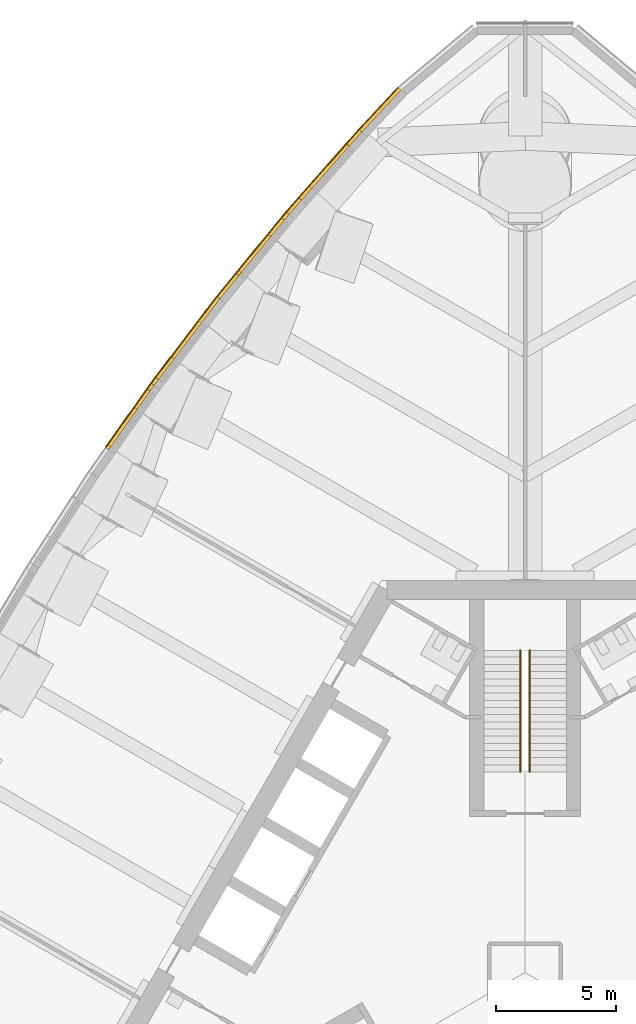
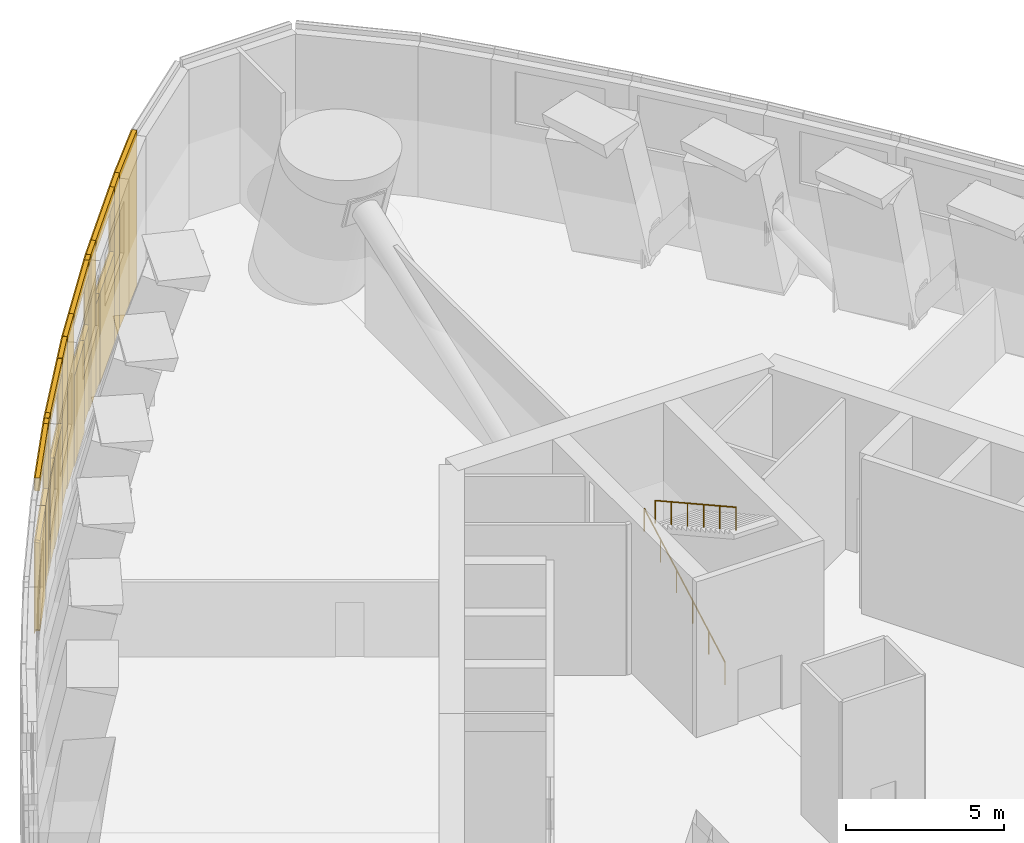
# One storey, part 18 of 25: 38 coverings, 2 railings.
"""IFC4 building model written with IfcOpenShell, lengths in metres."""

from ifc_helpers import new_model, si_unit, direction, frame, origin, origin_2d, place, context, subcontext, project, spatial, rectangle, circle, extrude, material, layer, layer_set, type_object, element, save


model = new_model("IFC4")

# Units and contexts
model_context = context("Model", 3, precision=1e-05, world=origin(), true_north=direction((0.0, 1.0)))
body_context = subcontext(model_context, "Body", "Model", "MODEL_VIEW")
ifc_project = project(units=[si_unit("LENGTHUNIT", "METRE"), si_unit("AREAUNIT", "SQUARE_METRE"), si_unit("VOLUMEUNIT", "CUBIC_METRE"), si_unit("PLANEANGLEUNIT", "RADIAN"), si_unit("MASSUNIT", "GRAM", prefix="KILO")], contexts=[model_context])

# Site, building, storey
site_placement = place(None, origin())
site = spatial("IfcSite", under=ifc_project, at=site_placement, CompositionType="ELEMENT")
building_placement = place(site_placement, origin())
building = spatial("IfcBuilding", under=site, at=building_placement, Name="Trefoil Bronze Tower", CompositionType="ELEMENT")
storey_placement = place(building_placement, frame((0.0, 0.0, 178.699951171875)))
storey = spatial("IfcBuildingStorey", under=building, at=storey_placement, Name="L41", CompositionType="ELEMENT", Elevation=178.699951171875)

# Coverings
ifc_material_1 = material(Name="Bronze-finish aluminium rainscreen panel on aluminium rails", Category="aluminium")
ifc_layer_1 = layer(ifc_material_1, 0.0400390625)
ifc_layer_set_1 = layer_set([ifc_layer_1], Name="Bronze cladding panel 40")
covering_type_1 = type_object("IfcCoveringType", Name="Bronze cladding panel 40", PredefinedType="CLADDING", material=ifc_layer_set_1)
covering_1_placement = place(storey_placement, frame((-6.1259765625, 36.158447265625, 0.0), z_axis=(0.0, 0.0, 1.0), x_axis=(-0.682535770593, -0.730852188791, 0.0)))
element("IfcCovering", 1, at=covering_1_placement, inside=storey, type_object=covering_type_1, Name="Cladding panel L41 Face 3.1 piece 1", PredefinedType="CLADDING", context=body_context, shape_type="SweptSolid", body=[
    extrude(rectangle(XDim=2.420166015625, YDim=0.0400390625, at=origin_2d()), origin(), (0.0, 0.0, 1.0), 6.0),
])
for number, where, z_axis, x_axis, name in (
    (2, (-7.22119140625, 34.96923828125, 0.0), (0.0, 0.0, 1.0), (-0.661751406057, -0.749723333358, 0.0), "Cladding panel L41 Face 3.2 piece 1"),
    (3, (-9.73291015625, 32.12353515625, 0.0), (0.0, 0.0, 1.0), (-0.661751406057, -0.749723333358, 0.0), "Cladding panel L41 Face 3.2 piece 2"),
):
    element("IfcCovering", number, at=place(storey_placement, frame(where, z_axis=z_axis, x_axis=x_axis)), inside=storey, type_object=covering_type_1, Name=name, PredefinedType="CLADDING", context=body_context, shape_type="SweptSolid", body=[
        extrude(rectangle(XDim=0.795654296875, YDim=0.0400390625, at=origin_2d()), origin(), (0.0, 0.0, 1.0), 6.0),
    ])
covering_2_placement = place(storey_placement, frame((-8.47705078125, 33.54638671875, 0.0), z_axis=(0.0, 0.0, 1.0), x_axis=(-0.661751406057, -0.749723333358, 0.0)))
element("IfcCovering", 4, at=covering_2_placement, inside=storey, type_object=covering_type_1, Name="Cladding panel L41 Face 3.2 piece 3", PredefinedType="CLADDING", context=body_context, shape_type="SweptSolid", body=[
    extrude(rectangle(XDim=3.0, YDim=0.0400390625, at=origin_2d()), origin(), (0.0, 0.0, 1.0), 3.5),
])
covering_3_placement = place(storey_placement, frame((-8.47705078125, 33.54638671875, 5.5), z_axis=(0.0, 0.0, 1.0), x_axis=(-0.661751406057, -0.749723333358, 0.0)))
element("IfcCovering", 5, at=covering_3_placement, inside=storey, type_object=covering_type_1, Name="Cladding panel L41 Face 3.2 piece 4", PredefinedType="CLADDING", context=body_context, shape_type="SweptSolid", body=[
    extrude(rectangle(XDim=3.0, YDim=0.0400390625, at=origin_2d()), origin(), (0.0, 0.0, 1.0), 0.5),
])
covering_4_placement = place(storey_placement, frame((-10.098876953125, 31.700439453125, 0.0), z_axis=(0.0, 0.0, 1.0), x_axis=(-0.63383991597, -0.773464259629, 0.0)))
element("IfcCovering", 6, at=covering_4_placement, inside=storey, type_object=covering_type_1, Name="Cladding panel L41 Face 3.3 piece 1", PredefinedType="CLADDING", context=body_context, shape_type="SweptSolid", body=[
    extrude(rectangle(XDim=0.300048828125, YDim=0.0400390625, at=origin_2d()), origin(), (0.0, 0.0, 1.0), 6.0),
])
covering_5_placement = place(storey_placement, frame((-12.494873046875, 28.776611328125, 0.0), z_axis=(0.0, 0.0, 1.0), x_axis=(-0.63383991597, -0.773464259629, 0.0)))
element("IfcCovering", 7, at=covering_5_placement, inside=storey, type_object=covering_type_1, Name="Cladding panel L41 Face 3.3 piece 2", PredefinedType="CLADDING", context=body_context, shape_type="SweptSolid", body=[
    extrude(rectangle(XDim=1.260498046875, YDim=0.0400390625, at=origin_2d()), origin(), (0.0, 0.0, 1.0), 6.0),
])
covering_6_placement = place(storey_placement, frame((-11.144775390625, 30.424072265625, 0.0), z_axis=(0.0, 0.0, 1.0), x_axis=(-0.63383991597, -0.773464259629, 0.0)))
element("IfcCovering", 8, at=covering_6_placement, inside=storey, type_object=covering_type_1, Name="Cladding panel L41 Face 3.3 piece 3", PredefinedType="CLADDING", context=body_context, shape_type="SweptSolid", body=[
    extrude(rectangle(XDim=3.0, YDim=0.0400390625, at=origin_2d()), origin(), (0.0, 0.0, 1.0), 3.5),
])
covering_7_placement = place(storey_placement, frame((-11.144775390625, 30.424072265625, 5.5), z_axis=(0.0, 0.0, 1.0), x_axis=(-0.63383991597, -0.773464259629, 0.0)))
element("IfcCovering", 9, at=covering_7_placement, inside=storey, type_object=covering_type_1, Name="Cladding panel L41 Face 3.3 piece 4", PredefinedType="CLADDING", context=body_context, shape_type="SweptSolid", body=[
    extrude(rectangle(XDim=3.0, YDim=0.0400390625, at=origin_2d()), origin(), (0.0, 0.0, 1.0), 0.5),
])
covering_8_placement = place(storey_placement, frame((-13.275634765625, 27.787841796875, 0.0), z_axis=(0.0, 0.0, 1.0), x_axis=(-0.605252319997, -0.796033685932, 0.0)))
element("IfcCovering", 10, at=covering_8_placement, inside=storey, type_object=covering_type_1, Name="Cladding panel L41 Face 3.4 piece 1", PredefinedType="CLADDING", context=body_context, shape_type="SweptSolid", body=[
    extrude(rectangle(XDim=1.236328125, YDim=0.0400390625, at=origin_2d()), origin(), (0.0, 0.0, 1.0), 6.0),
])
covering_9_placement = place(storey_placement, frame((-15.556396484375, 24.788330078125, 0.0), z_axis=(0.0, 0.0, 1.0), x_axis=(-0.605252319997, -0.796033685932, 0.0)))
element("IfcCovering", 11, at=covering_9_placement, inside=storey, type_object=covering_type_1, Name="Cladding panel L41 Face 3.4 piece 2", PredefinedType="CLADDING", context=body_context, shape_type="SweptSolid", body=[
    extrude(rectangle(XDim=0.300048828125, YDim=0.0400390625, at=origin_2d()), origin(), (0.0, 0.0, 1.0), 6.0),
])
covering_10_placement = place(storey_placement, frame((-14.5576171875, 26.101806640625, 0.0), z_axis=(0.0, 0.0, 1.0), x_axis=(-0.605252319997, -0.796033685932, 0.0)))
element("IfcCovering", 12, at=covering_10_placement, inside=storey, type_object=covering_type_1, Name="Cladding panel L41 Face 3.4 piece 3", PredefinedType="CLADDING", context=body_context, shape_type="SweptSolid", body=[
    extrude(rectangle(XDim=3.0, YDim=0.0400390625, at=origin_2d()), origin(), (0.0, 0.0, 1.0), 3.5),
])
covering_11_placement = place(storey_placement, frame((-14.5576171875, 26.101806640625, 5.5), z_axis=(0.0, 0.0, 1.0), x_axis=(-0.605252319997, -0.796033685932, 0.0)))
element("IfcCovering", 13, at=covering_11_placement, inside=storey, type_object=covering_type_1, Name="Cladding panel L41 Face 3.4 piece 4", PredefinedType="CLADDING", context=body_context, shape_type="SweptSolid", body=[
    extrude(rectangle(XDim=3.0, YDim=0.0400390625, at=origin_2d()), origin(), (0.0, 0.0, 1.0), 0.5),
])
covering_12_placement = place(storey_placement, frame((-15.740234375, 24.536865234375, 0.0), z_axis=(0.0, 0.0, 1.0), x_axis=(-0.575999283347, -0.817450197617, 0.0)))
element("IfcCovering", 14, at=covering_12_placement, inside=storey, type_object=covering_type_1, Name="Cladding panel L41 Face 3.5 piece 1", PredefinedType="CLADDING", context=body_context, shape_type="SweptSolid", body=[
    extrude(rectangle(XDim=0.300048828125, YDim=0.0400390625, at=origin_2d()), origin(), (0.0, 0.0, 1.0), 6.0),
])
covering_13_placement = place(storey_placement, frame((-16.690673828125, 23.188232421875, 0.0), z_axis=(0.0, 0.0, 1.0), x_axis=(-0.575999283347, -0.817450197617, 0.0)))
element("IfcCovering", 15, at=covering_13_placement, inside=storey, type_object=covering_type_1, Name="Cladding panel L41 Face 3.5 piece 3", PredefinedType="CLADDING", context=body_context, shape_type="SweptSolid", body=[
    extrude(rectangle(XDim=3.0, YDim=0.0400390625, at=origin_2d()), origin(), (0.0, 0.0, 1.0), 3.5),
])
covering_14_placement = place(storey_placement, frame((-16.690673828125, 23.188232421875, 5.5), z_axis=(0.0, 0.0, 1.0), x_axis=(-0.575999283347, -0.817450197617, 0.0)))
element("IfcCovering", 16, at=covering_14_placement, inside=storey, type_object=covering_type_1, Name="Cladding panel L41 Face 3.5 piece 4", PredefinedType="CLADDING", context=body_context, shape_type="SweptSolid", body=[
    extrude(rectangle(XDim=3.0, YDim=0.0400390625, at=origin_2d()), origin(), (0.0, 0.0, 1.0), 0.5),
])

# Railings
ifc_material_2 = material(Name="Steel handrail", Category="steel")
railing_type = type_object("IfcRailingType", Name="Handrail 900", PredefinedType="HANDRAIL", material=ifc_material_2)
railing_1_placement = place(storey_placement, frame((-0.199951171875, 8.389892578125, 0.166748046875)))
element("IfcRailing", 17, at=railing_1_placement, inside=storey, type_object=railing_type, Name="Handrail ST2 flight 1 L41", PredefinedType="HANDRAIL", context=body_context, shape_type="SweptSolid", body=[
    extrude(circle(Radius=0.02392578125, at=origin_2d()), frame((0.0, 0.0, 0.8759765625), z_axis=(0.0, 0.874167145328, 0.485625166182), x_axis=(-1.0, 0.0, 0.0)), (0.0, 0.0, 1.0), 5.834228515625),
    extrude(circle(Radius=0.02099609375, at=origin_2d()), origin(), (0.0, 0.0, 1.0), 0.851806640625),
    extrude(circle(Radius=0.02099609375, at=origin_2d()), frame((0.0, 1.02001953125, 0.566650390625)), (0.0, 0.0, 1.0), 0.851806640625),
    extrude(circle(Radius=0.02099609375, at=origin_2d()), frame((0.0, 2.0400390625, 1.13330078125)), (0.0, 0.0, 1.0), 0.851806640625),
    extrude(circle(Radius=0.02099609375, at=origin_2d()), frame((0.0, 3.06005859375, 1.699951171875)), (0.0, 0.0, 1.0), 0.851806640625),
    extrude(circle(Radius=0.02099609375, at=origin_2d()), frame((0.0, 4.080078125, 2.2666015625)), (0.0, 0.0, 1.0), 0.851806640625),
    extrude(circle(Radius=0.02099609375, at=origin_2d()), frame((0.0, 5.10009765625, 2.833251953125)), (0.0, 0.0, 1.0), 0.851806640625),
])
railing_2_placement = place(storey_placement, frame((0.199951171875, 13.489990234375, 3.166748046875)))
element("IfcRailing", 18, at=railing_2_placement, inside=storey, type_object=railing_type, Name="Handrail ST2 flight 2 L41", PredefinedType="HANDRAIL", context=body_context, shape_type="SweptSolid", body=[
    extrude(circle(Radius=0.02392578125, at=origin_2d()), frame((0.0, 0.0, 0.8759765625), z_axis=(0.0, -0.874167145328, 0.485625166182), x_axis=(1.0, 0.0, 0.0)), (0.0, 0.0, 1.0), 5.834228515625),
    extrude(circle(Radius=0.02099609375, at=origin_2d()), origin(), (0.0, 0.0, 1.0), 0.851806640625),
    extrude(circle(Radius=0.02099609375, at=origin_2d()), frame((0.0, -1.02001953125, 0.566650390625)), (0.0, 0.0, 1.0), 0.851806640625),
    extrude(circle(Radius=0.02099609375, at=origin_2d()), frame((0.0, -2.0400390625, 1.13330078125)), (0.0, 0.0, 1.0), 0.851806640625),
    extrude(circle(Radius=0.02099609375, at=origin_2d()), frame((0.0, -3.06005859375, 1.699951171875)), (0.0, 0.0, 1.0), 0.851806640625),
    extrude(circle(Radius=0.02099609375, at=origin_2d()), frame((0.0, -4.080078125, 2.2666015625)), (0.0, 0.0, 1.0), 0.851806640625),
    extrude(circle(Radius=0.02099609375, at=origin_2d()), frame((0.0, -5.10009765625, 2.833251953125)), (0.0, 0.0, 1.0), 0.851806640625),
])

# Coverings
ifc_material_3 = material(Name="Non-combustible mineral wool slab", Category="insulation")
ifc_layer_2 = layer(ifc_material_3, 0.14990234375)
ifc_layer_set_2 = layer_set([ifc_layer_2], Name="Rainscreen insulation 150")
covering_type_2 = type_object("IfcCoveringType", Name="Rainscreen insulation 150", PredefinedType="INSULATION", material=ifc_layer_set_2)
covering_15_placement = place(storey_placement, frame((-6.056640625, 36.093505859375, 0.0), z_axis=(0.0, 0.0, 1.0), x_axis=(-0.682535770593, -0.730852188791, 0.0)))
element("IfcCovering", 19, at=covering_15_placement, inside=storey, type_object=covering_type_2, Name="Insulation L41 Face 3.1 piece 1", PredefinedType="INSULATION", context=body_context, shape_type="SweptSolid", body=[
    extrude(rectangle(XDim=2.420166015625, YDim=0.14990234375, at=origin_2d()), origin(), (0.0, 0.0, 1.0), 6.0),
])
covering_16_placement = place(storey_placement, frame((-7.14990234375, 34.90625, 0.0), z_axis=(0.0, 0.0, 1.0), x_axis=(-0.661751406057, -0.749723333358, 0.0)))
element("IfcCovering", 20, at=covering_16_placement, inside=storey, type_object=covering_type_2, Name="Insulation L41 Face 3.2 piece 1", PredefinedType="INSULATION", context=body_context, shape_type="SweptSolid", body=[
    extrude(rectangle(XDim=0.795654296875, YDim=0.14990234375, at=origin_2d()), origin(), (0.0, 0.0, 1.0), 6.0),
])
covering_17_placement = place(storey_placement, frame((-9.66162109375, 32.060546875, 0.1298828125), z_axis=(0.0, 0.0, 1.0), x_axis=(-0.661751406057, -0.749723333358, 0.0)))
element("IfcCovering", 21, at=covering_17_placement, inside=storey, type_object=covering_type_2, Name="Insulation L41 Face 3.2 piece 2", PredefinedType="INSULATION", context=body_context, shape_type="SweptSolid", body=[
    extrude(rectangle(XDim=0.795654296875, YDim=0.14990234375, at=origin_2d()), origin(), (0.0, 0.0, 1.0), 5.8701171875),
])
covering_18_placement = place(storey_placement, frame((-8.194091796875, 33.723388671875, 0.0), z_axis=(0.0, 0.0, 1.0), x_axis=(-0.661751406057, -0.749723333358, 0.0)))
element("IfcCovering", 22, at=covering_18_placement, inside=storey, type_object=covering_type_2, Name="Insulation L41 Face 3.2 piece 3", PredefinedType="INSULATION", context=body_context, shape_type="SweptSolid", body=[
    extrude(rectangle(XDim=2.360107421875, YDim=0.14990234375, at=origin_2d()), origin(), (0.0, 0.0, 1.0), 3.5),
])
covering_19_placement = place(storey_placement, frame((-9.186767578125, 32.598876953125, 0.115234375), z_axis=(0.0, 0.0, 1.0), x_axis=(-0.661751406057, -0.749723333358, 0.0)))
element("IfcCovering", 23, at=covering_19_placement, inside=storey, type_object=covering_type_2, Name="Insulation L41 Face 3.2 piece 3 part 2", PredefinedType="INSULATION", context=body_context, shape_type="SweptSolid", body=[
    extrude(rectangle(XDim=0.639892578125, YDim=0.14990234375, at=origin_2d()), origin(), (0.0, 0.0, 1.0), 3.385009765625),
])
covering_20_placement = place(storey_placement, frame((-8.40576171875, 33.4833984375, 5.5), z_axis=(0.0, 0.0, 1.0), x_axis=(-0.661751406057, -0.749723333358, 0.0)))
element("IfcCovering", 24, at=covering_20_placement, inside=storey, type_object=covering_type_2, Name="Insulation L41 Face 3.2 piece 4", PredefinedType="INSULATION", context=body_context, shape_type="SweptSolid", body=[
    extrude(rectangle(XDim=3.0, YDim=0.14990234375, at=origin_2d()), origin(), (0.0, 0.0, 1.0), 0.5),
])
covering_21_placement = place(storey_placement, frame((-10.025390625, 31.64013671875, 0.169921875), z_axis=(0.0, 0.0, 1.0), x_axis=(-0.63383991597, -0.773464259629, 0.0)))
element("IfcCovering", 25, at=covering_21_placement, inside=storey, type_object=covering_type_2, Name="Insulation L41 Face 3.3 piece 1", PredefinedType="INSULATION", context=body_context, shape_type="SweptSolid", body=[
    extrude(rectangle(XDim=0.300048828125, YDim=0.14990234375, at=origin_2d()), origin(), (0.0, 0.0, 1.0), 5.830078125),
])
covering_22_placement = place(storey_placement, frame((-12.42138671875, 28.71630859375, 0.115234375), z_axis=(0.0, 0.0, 1.0), x_axis=(-0.63383991597, -0.773464259629, 0.0)))
element("IfcCovering", 26, at=covering_22_placement, inside=storey, type_object=covering_type_2, Name="Insulation L41 Face 3.3 piece 2", PredefinedType="INSULATION", context=body_context, shape_type="SweptSolid", body=[
    extrude(rectangle(XDim=1.260498046875, YDim=0.14990234375, at=origin_2d()), origin(), (0.0, 0.0, 1.0), 5.885009765625),
])
covering_23_placement = place(storey_placement, frame((-10.40087890625, 31.181884765625, 0.2900390625), z_axis=(0.0, 0.0, 1.0), x_axis=(-0.63383991597, -0.773464259629, 0.0)))
element("IfcCovering", 27, at=covering_23_placement, inside=storey, type_object=covering_type_2, Name="Insulation L41 Face 3.3 piece 3", PredefinedType="INSULATION", context=body_context, shape_type="SweptSolid", body=[
    extrude(rectangle(XDim=0.885009765625, YDim=0.14990234375, at=origin_2d()), origin(), (0.0, 0.0, 1.0), 3.2099609375),
])
covering_24_placement = place(storey_placement, frame((-11.30419921875, 30.07958984375, 0.0), z_axis=(0.0, 0.0, 1.0), x_axis=(-0.63383991597, -0.773464259629, 0.0)))
element("IfcCovering", 28, at=covering_24_placement, inside=storey, type_object=covering_type_2, Name="Insulation L41 Face 3.3 piece 3 part 2", PredefinedType="INSULATION", context=body_context, shape_type="SweptSolid", body=[
    extrude(rectangle(XDim=1.965087890625, YDim=0.14990234375, at=origin_2d()), origin(), (0.0, 0.0, 1.0), 3.5),
])
covering_25_placement = place(storey_placement, frame((-11.974365234375, 29.26171875, 0.10986328125), z_axis=(0.0, 0.0, 1.0), x_axis=(-0.63383991597, -0.773464259629, 0.0)))
element("IfcCovering", 29, at=covering_25_placement, inside=storey, type_object=covering_type_2, Name="Insulation L41 Face 3.3 piece 3 part 3", PredefinedType="INSULATION", context=body_context, shape_type="SweptSolid", body=[
    extrude(rectangle(XDim=0.14990234375, YDim=0.14990234375, at=origin_2d()), origin(), (0.0, 0.0, 1.0), 3.389892578125),
])
covering_26_placement = place(storey_placement, frame((-11.0712890625, 30.364013671875, 5.5), z_axis=(0.0, 0.0, 1.0), x_axis=(-0.63383991597, -0.773464259629, 0.0)))
element("IfcCovering", 30, at=covering_26_placement, inside=storey, type_object=covering_type_2, Name="Insulation L41 Face 3.3 piece 4", PredefinedType="INSULATION", context=body_context, shape_type="SweptSolid", body=[
    extrude(rectangle(XDim=3.0, YDim=0.14990234375, at=origin_2d()), origin(), (0.0, 0.0, 1.0), 0.5),
])
covering_27_placement = place(storey_placement, frame((-13.190673828125, 27.742919921875, 0.28515625), z_axis=(0.0, 0.0, 1.0), x_axis=(-0.605252319997, -0.796033685932, 0.0)))
element("IfcCovering", 31, at=covering_27_placement, inside=storey, type_object=covering_type_2, Name="Insulation L41 Face 3.4 piece 1", PredefinedType="INSULATION", context=body_context, shape_type="SweptSolid", body=[
    extrude(rectangle(XDim=1.205078125, YDim=0.14990234375, at=origin_2d()), origin(), (0.0, 0.0, 1.0), 5.715087890625),
])
covering_28_placement = place(storey_placement, frame((-15.480712890625, 24.730712890625, 0.10986328125), z_axis=(0.0, 0.0, 1.0), x_axis=(-0.605252319997, -0.796033685932, 0.0)))
element("IfcCovering", 32, at=covering_28_placement, inside=storey, type_object=covering_type_2, Name="Insulation L41 Face 3.4 piece 2", PredefinedType="INSULATION", context=body_context, shape_type="SweptSolid", body=[
    extrude(rectangle(XDim=0.300048828125, YDim=0.14990234375, at=origin_2d()), origin(), (0.0, 0.0, 1.0), 5.889892578125),
])
covering_29_placement = place(storey_placement, frame((-14.15283203125, 26.477294921875, 0.0), z_axis=(0.0, 0.0, 1.0), x_axis=(-0.605252319997, -0.796033685932, 0.0)))
element("IfcCovering", 33, at=covering_29_placement, inside=storey, type_object=covering_type_2, Name="Insulation L41 Face 3.4 piece 3", PredefinedType="INSULATION", context=body_context, shape_type="SweptSolid", body=[
    extrude(rectangle(XDim=1.912109375, YDim=0.14990234375, at=origin_2d()), origin(), (0.0, 0.0, 1.0), 3.5),
])
covering_30_placement = place(storey_placement, frame((-15.060791015625, 25.283203125, 0.125), z_axis=(0.0, 0.0, 1.0), x_axis=(-0.605252319997, -0.796033685932, 0.0)))
element("IfcCovering", 34, at=covering_30_placement, inside=storey, type_object=covering_type_2, Name="Insulation L41 Face 3.4 piece 3 part 2", PredefinedType="INSULATION", context=body_context, shape_type="SweptSolid", body=[
    extrude(rectangle(XDim=1.087890625, YDim=0.14990234375, at=origin_2d()), origin(), (0.0, 0.0, 1.0), 3.375),
])
covering_31_placement = place(storey_placement, frame((-14.48193359375, 26.044189453125, 5.5), z_axis=(0.0, 0.0, 1.0), x_axis=(-0.605252319997, -0.796033685932, 0.0)))
element("IfcCovering", 35, at=covering_31_placement, inside=storey, type_object=covering_type_2, Name="Insulation L41 Face 3.4 piece 4", PredefinedType="INSULATION", context=body_context, shape_type="SweptSolid", body=[
    extrude(rectangle(XDim=3.0, YDim=0.14990234375, at=origin_2d()), origin(), (0.0, 0.0, 1.0), 0.5),
])
covering_32_placement = place(storey_placement, frame((-15.66259765625, 24.482177734375, 0.14501953125), z_axis=(0.0, 0.0, 1.0), x_axis=(-0.575999283347, -0.817450197617, 0.0)))
element("IfcCovering", 36, at=covering_32_placement, inside=storey, type_object=covering_type_2, Name="Insulation L41 Face 3.5 piece 1", PredefinedType="INSULATION", context=body_context, shape_type="SweptSolid", body=[
    extrude(rectangle(XDim=0.300048828125, YDim=0.14990234375, at=origin_2d()), origin(), (0.0, 0.0, 1.0), 5.85498046875),
])
covering_33_placement = place(storey_placement, frame((-16.016845703125, 23.9794921875, 0.27001953125), z_axis=(0.0, 0.0, 1.0), x_axis=(-0.575999283347, -0.817450197617, 0.0)))
element("IfcCovering", 37, at=covering_33_placement, inside=storey, type_object=covering_type_2, Name="Insulation L41 Face 3.5 piece 3", PredefinedType="INSULATION", context=body_context, shape_type="SweptSolid", body=[
    extrude(rectangle(XDim=0.929931640625, YDim=0.14990234375, at=origin_2d()), origin(), (0.0, 0.0, 1.0), 3.22998046875),
])
covering_34_placement = place(storey_placement, frame((-16.840576171875, 22.810546875, 0.0), z_axis=(0.0, 0.0, 1.0), x_axis=(-0.575999283347, -0.817450197617, 0.0)))
element("IfcCovering", 38, at=covering_34_placement, inside=storey, type_object=covering_type_2, Name="Insulation L41 Face 3.5 piece 3 part 2", PredefinedType="INSULATION", context=body_context, shape_type="SweptSolid", body=[
    extrude(rectangle(XDim=1.929931640625, YDim=0.14990234375, at=origin_2d()), origin(), (0.0, 0.0, 1.0), 3.5),
])
covering_35_placement = place(storey_placement, frame((-17.436767578125, 21.964599609375, 0.14501953125), z_axis=(0.0, 0.0, 1.0), x_axis=(-0.575999283347, -0.817450197617, 0.0)))
element("IfcCovering", 39, at=covering_35_placement, inside=storey, type_object=covering_type_2, Name="Insulation L41 Face 3.5 piece 3 part 3", PredefinedType="INSULATION", context=body_context, shape_type="SweptSolid", body=[
    extrude(rectangle(XDim=0.139892578125, YDim=0.14990234375, at=origin_2d()), origin(), (0.0, 0.0, 1.0), 3.35498046875),
])
covering_36_placement = place(storey_placement, frame((-16.613037109375, 23.133544921875, 5.5), z_axis=(0.0, 0.0, 1.0), x_axis=(-0.575999283347, -0.817450197617, 0.0)))
element("IfcCovering", 40, at=covering_36_placement, inside=storey, type_object=covering_type_2, Name="Insulation L41 Face 3.5 piece 4", PredefinedType="INSULATION", context=body_context, shape_type="SweptSolid", body=[
    extrude(rectangle(XDim=3.0, YDim=0.14990234375, at=origin_2d()), origin(), (0.0, 0.0, 1.0), 0.5),
])

save(model, "model.ifc")
